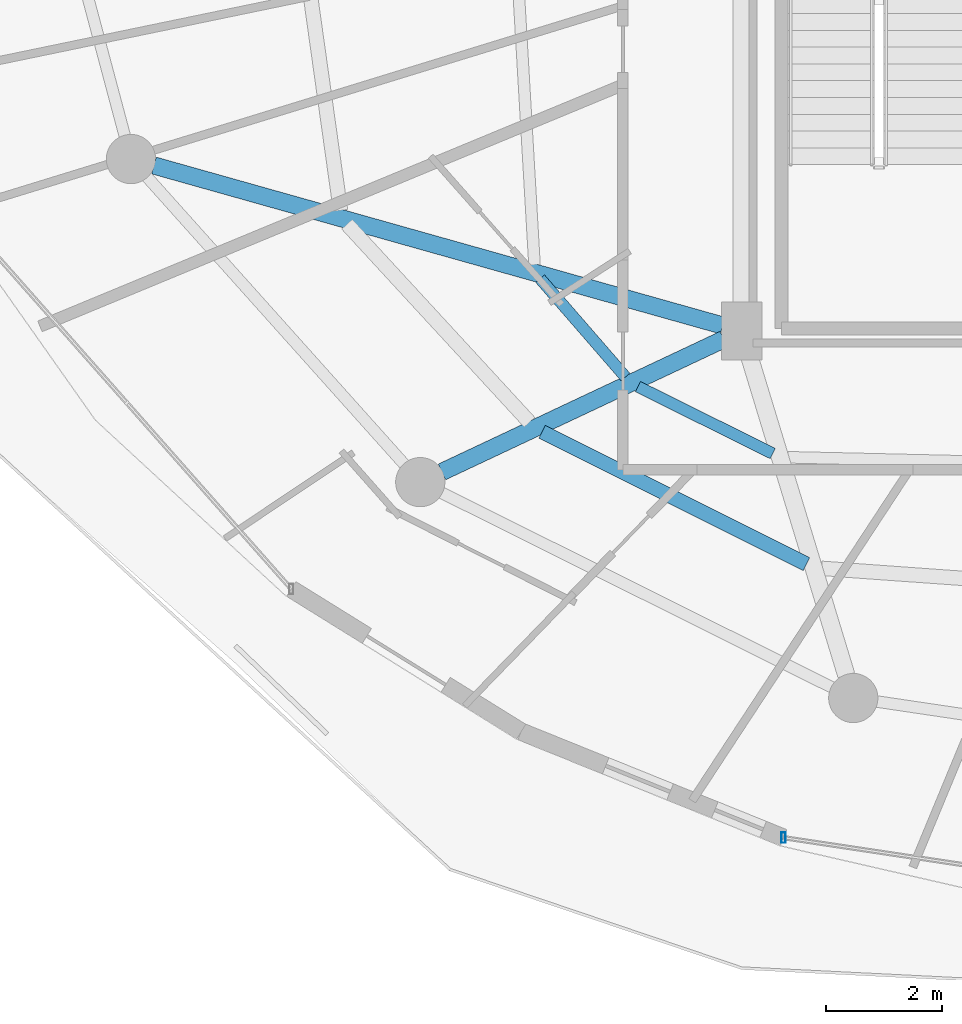
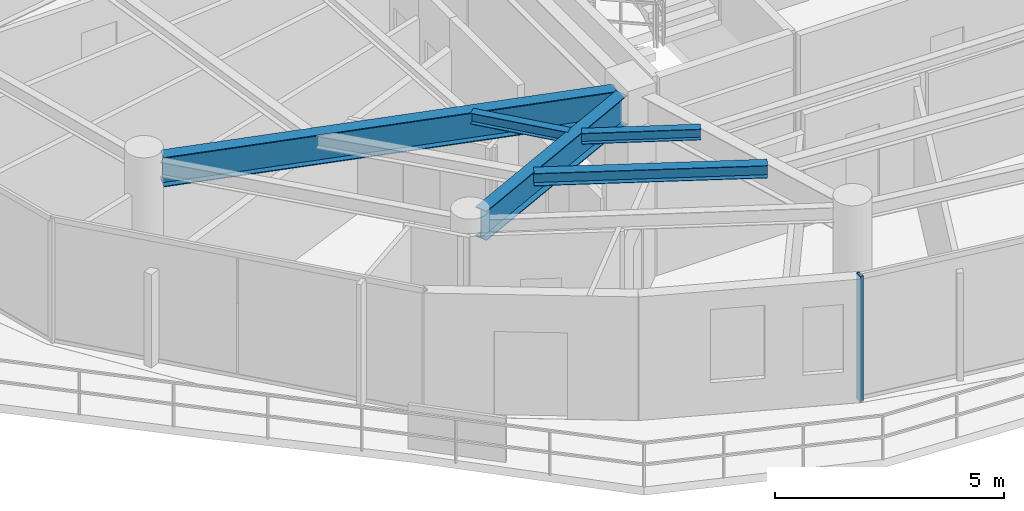
# One storey, part 4 of 31: 5 beams, 1 member, 1 element without a shape of its own.
"""IFC4 building model written with IfcOpenShell, lengths in metres."""

from ifc_helpers import new_model, si_unit, direction, frame, origin, origin_2d, place, context, subcontext, project, spatial, hollow_rectangle, i_section, extrude, material, material_profile, profile_set, type_object, element, aggregate, save


model = new_model("IFC4")

# Units and contexts
model_context = context("Model", 3, precision=1e-05, world=origin(), true_north=direction((0.0, 1.0)))
body_context = subcontext(model_context, "Body", "Model", "MODEL_VIEW")
ifc_project = project(units=[si_unit("LENGTHUNIT", "METRE"), si_unit("AREAUNIT", "SQUARE_METRE"), si_unit("VOLUMEUNIT", "CUBIC_METRE"), si_unit("PLANEANGLEUNIT", "RADIAN"), si_unit("MASSUNIT", "GRAM", prefix="KILO")], contexts=[model_context])

# Site, building, storey
site_placement = place(None, origin())
site = spatial("IfcSite", under=ifc_project, at=site_placement, CompositionType="ELEMENT")
building_placement = place(site_placement, origin())
building = spatial("IfcBuilding", under=site, at=building_placement, Name="Vorneva Point Tower", CompositionType="ELEMENT")
storey_placement = place(building_placement, frame((0.0, 0.0, 266.199951171875)))
storey = spatial("IfcBuildingStorey", under=building, at=storey_placement, Name="L72", CompositionType="ELEMENT", Elevation=266.199951171875)

# Beams
ifc_material_1 = material(Name="Steel S355", Category="steel")
ifc_material_profile_1 = material_profile(ifc_material_1, i_section(OverallWidth=0.300048828125, OverallDepth=0.7880859375, WebThickness=0.014404296875, FlangeThickness=0.02197265625, at=origin_2d()), Name="80Sh1")
ifc_profile_set_1 = profile_set([ifc_material_profile_1], Name="Steel S355")
beam_type_1 = type_object("IfcBeamType", Name="BM-GRD-80Sh1", PredefinedType="USERDEFINED", material=ifc_profile_set_1)
beam_1_placement = place(storey_placement, frame((17.102294921875, 19.305908203125, 2.89599609375), z_axis=(0.962601026021, -0.270922986664, 0.0), x_axis=(0.270922986664, 0.962601026021, 0.0)))
element("IfcBeam", 1, at=beam_1_placement, inside=storey, type_object=beam_type_1, Name="L72 Radial Primary Girder 10", ObjectType="GIRDER", PredefinedType="USERDEFINED", context=body_context, shape_type="SweptSolid", body=[
    extrude(i_section(OverallWidth=0.300048828125, OverallDepth=0.7880859375, WebThickness=0.014404296875, FlangeThickness=0.02197265625, at=origin_2d()), origin(), (0.0, 0.0, 1.0), 10.201904296875),
])
beam_2_placement = place(storey_placement, frame((22.074951171875, 14.013671875, 2.89599609375), z_axis=(0.904750812805, 0.425941271455, 0.0), x_axis=(-0.425941271455, 0.904750812805, 0.0)))
element("IfcBeam", 2, at=beam_2_placement, inside=storey, type_object=beam_type_1, Name="L72 Radial Primary Girder 11", ObjectType="GIRDER", PredefinedType="USERDEFINED", context=body_context, shape_type="SweptSolid", body=[
    extrude(i_section(OverallWidth=0.300048828125, OverallDepth=0.7880859375, WebThickness=0.014404296875, FlangeThickness=0.02197265625, at=origin_2d()), origin(), (0.0, 0.0, 1.0), 5.3798828125),
])
ifc_material_profile_2 = material_profile(ifc_material_1, i_section(OverallWidth=0.199951171875, OverallDepth=0.291015625, WebThickness=0.008056640625, FlangeThickness=0.010986328125, at=origin_2d()), Name="30Sh1")
ifc_profile_set_2 = profile_set([ifc_material_profile_2], Name="Steel S355")
beam_type_2 = type_object("IfcBeamType", Name="BM-SEC-30Sh1", PredefinedType="BEAM", material=ifc_profile_set_2)
beam_3_placement = place(storey_placement, frame((23.7724609375, 17.35009765625, 3.14453125), z_axis=(0.655592112654, -0.755115210962, 0.0), x_axis=(0.755115210962, 0.655592112654, 0.0)))
element("IfcBeam", 3, at=beam_3_placement, inside=storey, type_object=beam_type_2, Name="L72 Secondary Floor Beam 2.10", PredefinedType="BEAM", context=body_context, shape_type="SweptSolid", body=[
    extrude(i_section(OverallWidth=0.199951171875, OverallDepth=0.291015625, WebThickness=0.008056640625, FlangeThickness=0.010986328125, at=origin_2d()), origin(), (0.0, 0.0, 1.0), 2.2470703125),
])
beam_4_placement = place(storey_placement, frame((25.459716796875, 15.48779296875, 3.14453125), z_axis=(0.895737278739, -0.444583768796, 0.0), x_axis=(0.444583768796, 0.895737278739, 0.0)))
element("IfcBeam", 4, at=beam_4_placement, inside=storey, type_object=beam_type_2, Name="L72 Secondary Floor Beam 2.11", PredefinedType="BEAM", context=body_context, shape_type="SweptSolid", body=[
    extrude(i_section(OverallWidth=0.199951171875, OverallDepth=0.291015625, WebThickness=0.008056640625, FlangeThickness=0.010986328125, at=origin_2d()), origin(), (0.0, 0.0, 1.0), 2.601318359375),
])
ifc_material_profile_3 = material_profile(ifc_material_1, i_section(OverallWidth=0.2490234375, OverallDepth=0.333984375, WebThickness=0.008056640625, FlangeThickness=0.010986328125, at=origin_2d()), Name="35Sh1")
ifc_profile_set_3 = profile_set([ifc_material_profile_3], Name="Steel S355")
beam_type_3 = type_object("IfcBeamType", Name="BM-SEC-35Sh1", PredefinedType="BEAM", material=ifc_profile_set_3)
beam_5_placement = place(storey_placement, frame((23.8046875, 14.7080078125, 3.123046875), z_axis=(0.894121037804, -0.447825378643, 0.0), x_axis=(0.447825378643, 0.894121037804, 0.0)))
element("IfcBeam", 5, at=beam_5_placement, inside=storey, type_object=beam_type_3, Name="L72 Secondary Floor Beam 1.11", PredefinedType="BEAM", context=body_context, shape_type="SweptSolid", body=[
    extrude(i_section(OverallWidth=0.2490234375, OverallDepth=0.333984375, WebThickness=0.008056640625, FlangeThickness=0.010986328125, at=origin_2d()), origin(), (0.0, 0.0, 1.0), 5.107177734375),
])

# Curtain wall, member
ifc_material_2 = material(Name="Pale anodised aluminium", Category="aluminium")
curtain_wall_type = type_object("IfcCurtainWallType", Name="CW-RES-SYS", PredefinedType="NOTDEFINED", material=ifc_material_2)
curtain_wall_placement = place(storey_placement, origin())
curtain_wall = element("IfcCurtainWall", 6, at=curtain_wall_placement, inside=storey, type_object=curtain_wall_type, Name="L72 Unitised Curtain Wall CW-L72-R04", PredefinedType="NOTDEFINED")
ifc_material_profile_4 = material_profile(ifc_material_2, hollow_rectangle(XDim=0.074951171875, YDim=0.179931640625, WallThickness=0.00390625, at=origin_2d()), Name="AL-MUL 180x75x4")
ifc_profile_set_4 = profile_set([ifc_material_profile_4], Name="Pale anodised aluminium")
member_type = type_object("IfcMemberType", Name="CW-MUL-180", PredefinedType="MULLION", material=ifc_profile_set_4)
member_placement = place(storey_placement, frame((27.9736328125, 7.697998046875, -0.0400390625), z_axis=(0.0, 0.0, 1.0), x_axis=(1.0, 0.0, 0.0)))
member = element("IfcMember", 7, at=member_placement, type_object=member_type, Name="CW-L72-R04 Mullion 01", PredefinedType="MULLION", context=body_context, shape_type="SweptSolid", body=[
    extrude(hollow_rectangle(XDim=0.074951171875, YDim=0.179931640625, WallThickness=0.00390625, at=origin_2d()), origin(), (0.0, 0.0, 1.0), 3.360107421875),
])
aggregate(curtain_wall, [member])

save(model, "model.ifc")
